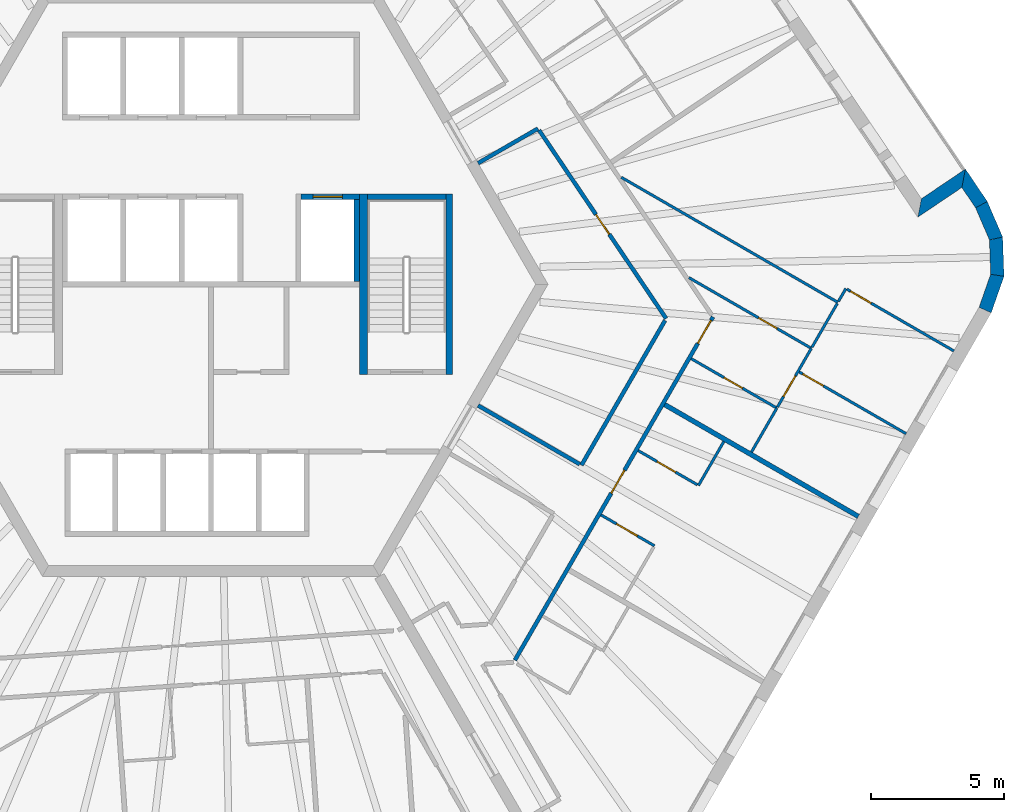
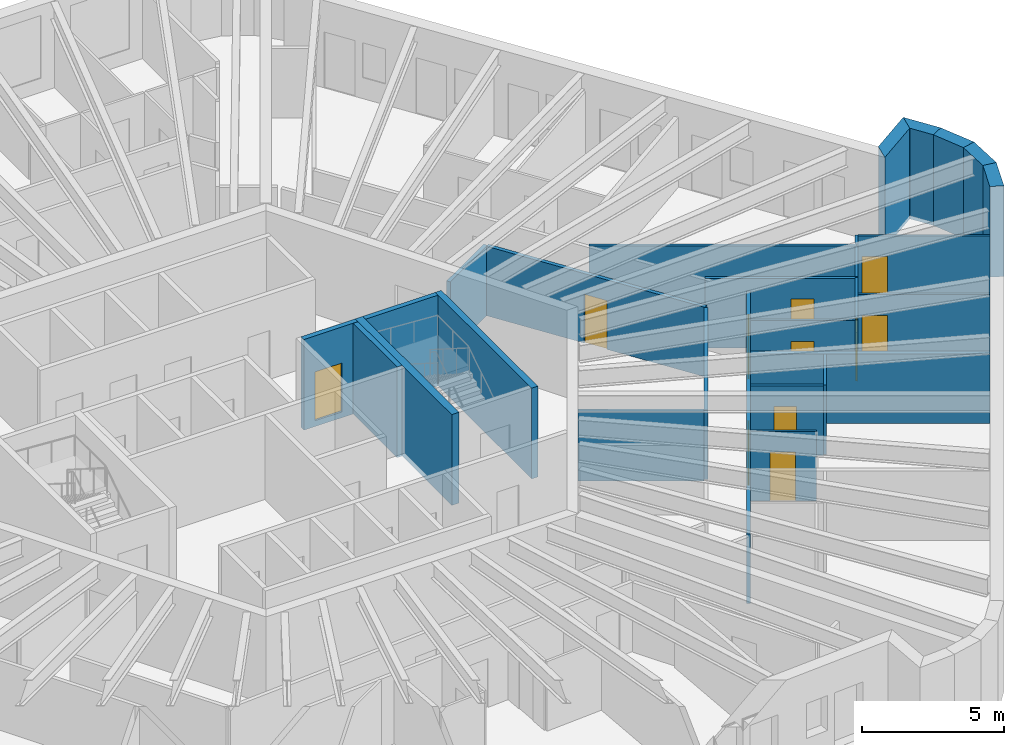
# One storey, part 7 of 12: 28 walls, 11 doors, 11 openings.
"""IFC4 building model written with IfcOpenShell, lengths in metres."""

import ifcopenshell
import ifcopenshell.guid

model = None  # the IFC model being written
_history = None  # IfcOwnerHistory: only IFC2X3 demands one
_inside = {}  # id of a spatial element -> (the spatial element, [elements in it])
_under = {}  # id of a project, library or spatial element -> (it, [spatial elements below it])
_declared = {}  # id of a project -> (the project, [libraries it declares])
_typed = {}  # id of a type object -> (the type object, [elements of that type])
_made_of = {}  # id of a material, layer set ... -> (it, [elements and type objects made of it])


def new_model(schema):
    """Start an empty IFC model of exactly this schema.

    Asked for "IFC4X3", IfcOpenShell would pick the latest addendum, in which some entities
    have other attributes; the version numbers below select the first issue.
    IFC2X3 requires an IfcOwnerHistory on every rooted entity: one is made here for all.
    """
    global model, _history
    if schema == "IFC4X3":
        model = ifcopenshell.file(schema_version=(4, 3, 0, 0))
    else:
        model = ifcopenshell.file(schema=schema)
    _inside.clear()
    _under.clear()
    _declared.clear()
    _typed.clear()
    _made_of.clear()
    _history = None
    if model.schema == "IFC2X3":
        org = make("IfcOrganization", Name="unknown")
        user = make(
            "IfcPersonAndOrganization",
            ThePerson=make("IfcPerson", FamilyName="unknown"),
            TheOrganization=org,
        )
        app = make(
            "IfcApplication",
            ApplicationDeveloper=org,
            Version="unknown",
            ApplicationFullName="unknown",
            ApplicationIdentifier="unknown",
        )
        _history = make(
            "IfcOwnerHistory",
            OwningUser=user,
            OwningApplication=app,
            ChangeAction="ADDED",
            CreationDate=0,
        )
    return model


def make(cls, **values):
    """One entity of the class cls with the attributes given. An attribute that is None is left unset."""
    return model.create_entity(
        cls, **{name: value for name, value in values.items() if value is not None}
    )


def rooted(cls, **values):
    """An entity with a GlobalId (a new one), such as an element, a storey or a relation."""
    return make(cls, GlobalId=ifcopenshell.guid.new(), OwnerHistory=_history, **values)


def si_unit(unit_type, name, prefix=None):
    """IfcSIUnit, for example si_unit("LENGTHUNIT", "METRE", prefix="MILLI")."""
    return make("IfcSIUnit", UnitType=unit_type, Prefix=prefix, Name=name)


def assignment(units):
    """IfcUnitAssignment: the units of a project."""
    return None if units is None else make("IfcUnitAssignment", Units=units)


def point(xyz):
    """IfcCartesianPoint."""
    return None if xyz is None else make("IfcCartesianPoint", Coordinates=xyz)


def direction(xyz):
    """IfcDirection."""
    return None if xyz is None else make("IfcDirection", DirectionRatios=xyz)


def frame(location, z_axis=None, x_axis=None):
    """IfcAxis2Placement3D, a coordinate frame: its origin and axes. An axis left out is left unset."""
    return make(
        "IfcAxis2Placement3D",
        Location=point(location),
        Axis=direction(z_axis),
        RefDirection=direction(x_axis),
    )


def frame_2d(location, x_axis=None):
    """IfcAxis2Placement2D, a coordinate frame in the plane: its origin and x axis."""
    return make(
        "IfcAxis2Placement2D", Location=point(location), RefDirection=direction(x_axis)
    )


def origin():
    """The frame at (0, 0, 0) with its axes left unset."""
    return frame((0.0, 0.0, 0.0))


def place(relative_to, where):
    """IfcLocalPlacement: puts the frame where relative to a parent placement (None: the world)."""
    return make(
        "IfcLocalPlacement", PlacementRelTo=relative_to, RelativePlacement=where
    )


def context(
    kind, dimensions, precision=None, world=None, true_north=None, identifier=None
):
    """IfcGeometricRepresentationContext, for example the 3D "Model" context."""
    return make(
        "IfcGeometricRepresentationContext",
        ContextIdentifier=identifier,
        ContextType=kind,
        CoordinateSpaceDimension=dimensions,
        Precision=precision,
        WorldCoordinateSystem=world,
        TrueNorth=true_north,
    )


def subcontext(parent, identifier, kind, view, scale=None):
    """IfcGeometricRepresentationSubContext, for example "Body" below "Model"."""
    return make(
        "IfcGeometricRepresentationSubContext",
        ContextIdentifier=identifier,
        ContextType=kind,
        ParentContext=parent,
        TargetScale=scale,
        TargetView=view,
    )


def project(units=None, contexts=None):
    """IfcProject with its units and contexts."""
    return rooted(
        "IfcProject",
        Name="project",
        RepresentationContexts=contexts,
        UnitsInContext=assignment(units),
    )


def spatial(cls, under=None, at=None, **own):
    """A site, building, storey or space (cls), placed at a placement, below another one or the project."""
    s = rooted(cls, ObjectPlacement=at, **own)
    if under is not None:
        _under.setdefault(under.id(), (under, []))[1].append(s)
    return s


def polyline(points):
    """IfcPolyline through the points."""
    return make("IfcPolyline", Points=[point(p) for p in points])


def profile(cls, at=None, kind="AREA", **sizes):
    """A parametric profile (cls). Its sizes go by their IFC names, for example OverallWidth=200.0."""
    return make(cls, ProfileType=kind, Position=at, **sizes)


def rectangle(**sizes):
    """IfcRectangleProfileDef."""
    return profile("IfcRectangleProfileDef", **sizes)


def outline(outer, holes=None, kind="AREA"):
    """IfcArbitraryClosedProfileDef: a profile drawn as a closed curve; with holes, ...WithVoids."""
    if holes is None:
        return make("IfcArbitraryClosedProfileDef", ProfileType=kind, OuterCurve=outer)
    return make(
        "IfcArbitraryProfileDefWithVoids",
        ProfileType=kind,
        OuterCurve=outer,
        InnerCurves=holes,
    )


def extrude(swept, where, along, depth):
    """IfcExtrudedAreaSolid: the profile swept, set in the frame where, extruded along a direction by depth."""
    return make(
        "IfcExtrudedAreaSolid",
        SweptArea=swept,
        Position=where,
        ExtrudedDirection=direction(along),
        Depth=depth,
    )


def shape(context_of_items, identifier, shape_type, items):
    """IfcShapeRepresentation: the items that make up one representation, for example the "Body"."""
    return make(
        "IfcShapeRepresentation",
        ContextOfItems=context_of_items,
        RepresentationIdentifier=identifier,
        RepresentationType=shape_type,
        Items=items,
    )


def material(Name=None, Category=None):
    """IfcMaterial."""
    return make("IfcMaterial", Name=Name, Category=Category)


def layer(
    of_material, thickness, ventilated=None, Name=None, Category=None, Priority=None
):
    """IfcMaterialLayer: one layer of a wall or slab, of a material (None: an air gap)."""
    return make(
        "IfcMaterialLayer",
        Material=of_material,
        LayerThickness=thickness,
        IsVentilated=ventilated,
        Name=Name,
        Category=Category,
        Priority=Priority,
    )


def layer_set(layers, Name=None):
    """IfcMaterialLayerSet."""
    return make("IfcMaterialLayerSet", MaterialLayers=layers, LayerSetName=Name)


def made_of(thing, what):
    """Note that an element or type object is made of a material, layer set ...; save() writes the relation."""
    if what is not None:
        _made_of.setdefault(what.id(), (what, []))[1].append(thing)
    return thing


def type_object(cls, material=None, **own):
    """A type object (cls), such as IfcWallType, which elements share."""
    return made_of(rooted(cls, **own), material)


def element(
    cls,
    number,
    at=None,
    inside=None,
    cuts=None,
    type_object=None,
    material=None,
    context=None,
    identifier="Body",
    shape_type=None,
    held_by="IfcProductDefinitionShape",
    body=None,
    shapes=None,
    **own,
):
    """One element of the class cls, such as IfcWall. Its Tag is "e" and its number.

    at: its placement. inside: the storey or other place that contains it. cuts: it is an
    opening in that element (IfcRelVoidsElement). A single representation is given by context,
    identifier, shape_type and body (its items); several are given by shapes. held_by: the class
    of the entity that holds the representations. save() writes the other relations.
    """
    e = rooted(cls, Tag="e%d" % number, ObjectPlacement=at, **own)
    if body is not None:
        shapes = [shape(context, identifier, shape_type, body)]
    if shapes is not None:
        e.Representation = make(held_by, Representations=shapes)
    if inside is not None:
        _inside.setdefault(inside.id(), (inside, []))[1].append(e)
    if cuts is not None:
        rooted(
            "IfcRelVoidsElement", RelatingBuildingElement=cuts, RelatedOpeningElement=e
        )
    if type_object is not None:
        _typed.setdefault(type_object.id(), (type_object, []))[1].append(e)
    return made_of(e, material)


def fill(opening, filler):
    """IfcRelFillsElement: the door or window that sits in an opening."""
    return rooted(
        "IfcRelFillsElement",
        RelatingOpeningElement=opening,
        RelatedBuildingElement=filler,
    )


def aggregate(whole, parts):
    """IfcRelAggregates: a whole, such as a stair, and the parts it consists of."""
    return rooted("IfcRelAggregates", RelatingObject=whole, RelatedObjects=parts)


def save(model, path):
    """Write the relations noted so far, then the file.

    IfcRelAggregates (storeys below a building ...), IfcRelContainedInSpatialStructure (elements
    in a storey), IfcRelDefinesByType, IfcRelAssociatesMaterial and IfcRelDeclares: one each for
    every whole, place, type object, material and project.
    """
    for whole, parts in _under.values():
        aggregate(whole, parts)
    for where, things in _inside.values():
        rooted(
            "IfcRelContainedInSpatialStructure",
            RelatedElements=things,
            RelatingStructure=where,
        )
    for kind, things in _typed.values():
        rooted("IfcRelDefinesByType", RelatedObjects=things, RelatingType=kind)
    for what, things in _made_of.values():
        rooted("IfcRelAssociatesMaterial", RelatedObjects=things, RelatingMaterial=what)
    for by, libraries in _declared.values():
        rooted("IfcRelDeclares", RelatingContext=by, RelatedDefinitions=libraries)
    model.write(path)


model = new_model("IFC4")

# Units and contexts
model_context = context("Model", 3, precision=1e-05, world=origin(), true_north=direction((0.0, 1.0)))
body_context = subcontext(model_context, "Body", "Model", "MODEL_VIEW")
ifc_project = project(units=[si_unit("LENGTHUNIT", "METRE"), si_unit("AREAUNIT", "SQUARE_METRE"), si_unit("VOLUMEUNIT", "CUBIC_METRE"), si_unit("PLANEANGLEUNIT", "RADIAN"), si_unit("MASSUNIT", "GRAM", prefix="KILO")], contexts=[model_context])

# Site, building, storey
site_placement = place(None, origin())
site = spatial("IfcSite", under=ifc_project, at=site_placement, CompositionType="ELEMENT")
building_placement = place(site_placement, origin())
building = spatial("IfcBuilding", under=site, at=building_placement, Name="Tarnside Tower", CompositionType="ELEMENT")
storey_placement = place(building_placement, frame((0.0, 0.0, 275.699951171875)))
storey = spatial("IfcBuildingStorey", under=building, at=storey_placement, Name="L66", CompositionType="ELEMENT", Elevation=275.699951171875)

# Wall
ifc_material_1 = material(Name="Gypsum board partition on steel studs", Category="steel")
ifc_layer_1 = layer(ifc_material_1, 0.10009765625)
ifc_layer_set_1 = layer_set([ifc_layer_1], Name="Bathroom wall 100")
wall_type_1 = type_object("IfcWallType", Name="Bathroom wall 100", PredefinedType="PARTITIONING", material=ifc_layer_set_1)
wall_1_placement = place(storey_placement, frame((19.328125, -5.9228515625, 0.0), z_axis=(0.0, 0.0, 1.0), x_axis=(-0.500043324278, -0.866000389056, 0.0)))
element("IfcWall", 1, at=wall_1_placement, inside=storey, type_object=wall_type_1, Name="Bathroom wall 21152", PredefinedType="PARTITIONING", context=body_context, shape_type="SweptSolid", body=[
    extrude(rectangle(XDim=1.909912109375, YDim=0.10009765625, at=frame_2d((0.955078125, 0.0))), origin(), (0.0, 0.0, 1.0), 2.98779296875),
])

# Wall, opening, door
wall_2_placement = place(storey_placement, frame((18.329833984375, -7.5517578125, 0.0), z_axis=(0.0, 0.0, 1.0), x_axis=(-0.866046643894, 0.499963209246, 0.0)))
wall_2 = element("IfcWall", 2, at=wall_2_placement, inside=storey, type_object=wall_type_1, Name="Bathroom wall 21153", PredefinedType="PARTITIONING", context=body_context, shape_type="SweptSolid", body=[
    extrude(rectangle(XDim=2.574951171875, YDim=0.10009765625, at=frame_2d((1.28759765625, 0.0))), origin(), (0.0, 0.0, 1.0), 2.98779296875),
])
opening_1_placement = place(wall_2_placement, frame((0.949951171875, 0.0, 0.0)))
opening_1 = element("IfcOpeningElement", 3, at=opening_1_placement, cuts=wall_2, Name="Opening D-B1", PredefinedType="OPENING", context=body_context, shape_type="SweptSolid", body=[
    extrude(rectangle(XDim=0.800048828125, YDim=2.10009765625, at=frame_2d((0.39990234375, 1.050048828125))), frame((0.0, 0.06005859375, 0.0), z_axis=(0.0, -1.0, 0.0), x_axis=(1.0, 0.0, 0.0)), (0.0, 0.0, 1.0), 0.1201171875),
])
ifc_material_2 = material(Name="Timber door leaf", Category="wood")
door_type_1 = type_object("IfcDoorType", Name="Bathroom door 800", OperationType="NOTDEFINED", PredefinedType="DOOR", material=ifc_material_2)
door_1_placement = place(opening_1_placement, origin())
door_1 = element("IfcDoor", 4, at=door_1_placement, inside=storey, type_object=door_type_1, Name="Bathroom door 21051", OperationType="SINGLE_SWING_LEFT", OverallHeight=2.10009765625, OverallWidth=0.800048828125, PredefinedType="DOOR", context=body_context, shape_type="SweptSolid", body=[
    extrude(rectangle(XDim=0.800048828125, YDim=2.10009765625, at=frame_2d((0.39990234375, 1.050048828125))), frame((0.0, 0.02490234375, 0.0), z_axis=(0.0, -1.0, 0.0), x_axis=(1.0, 0.0, 0.0)), (0.0, 0.0, 1.0), 0.050048828125),
])
fill(opening_1, door_1)

# Wall
wall_3_placement = place(storey_placement, frame((15.462890625, 4.03369140625, 0.0), z_axis=(0.0, 0.0, 1.0), x_axis=(0.866033324905, -0.499986279965, 0.0)))
element("IfcWall", 5, at=wall_3_placement, inside=storey, type_object=wall_type_1, Name="Bathroom wall 21161", PredefinedType="PARTITIONING", context=body_context, shape_type="SweptSolid", body=[
    extrude(rectangle(XDim=9.425537109375, YDim=0.10009765625, at=frame_2d((4.712890625, 0.0))), origin(), (0.0, 0.0, 1.0), 2.98779296875),
])

# Wall, opening, door
wall_4_placement = place(storey_placement, frame((18.099853515625, -2.80029296875, 0.0), z_axis=(0.0, 0.0, 1.0), x_axis=(0.866012039196, -0.500023147432, 0.0)))
wall_4 = element("IfcWall", 6, at=wall_4_placement, inside=storey, type_object=wall_type_1, Name="Bathroom wall 21164", PredefinedType="PARTITIONING", context=body_context, shape_type="SweptSolid", body=[
    extrude(rectangle(XDim=3.724853515625, YDim=0.10009765625, at=frame_2d((1.8623046875, 0.0))), origin(), (0.0, 0.0, 1.0), 2.98779296875),
])
opening_2_placement = place(wall_4_placement, frame((1.425048828125, 0.0, 0.0)))
opening_2 = element("IfcOpeningElement", 7, at=opening_2_placement, cuts=wall_4, Name="Opening D-B1", PredefinedType="OPENING", context=body_context, shape_type="SweptSolid", body=[
    extrude(rectangle(XDim=0.800048828125, YDim=2.10009765625, at=frame_2d((0.39990234375, 1.050048828125))), frame((0.0, 0.06005859375, 0.0), z_axis=(0.0, -1.0, 0.0), x_axis=(1.0, 0.0, 0.0)), (0.0, 0.0, 1.0), 0.1201171875),
])
door_2_placement = place(opening_2_placement, origin())
door_2 = element("IfcDoor", 8, at=door_2_placement, inside=storey, type_object=door_type_1, Name="Bathroom door 21054", OperationType="SINGLE_SWING_RIGHT", OverallHeight=2.10009765625, OverallWidth=0.800048828125, PredefinedType="DOOR", context=body_context, shape_type="SweptSolid", body=[
    extrude(rectangle(XDim=0.800048828125, YDim=2.10009765625, at=frame_2d((0.39990234375, 1.050048828125))), frame((0.0, 0.02490234375, 0.0), z_axis=(0.0, -1.0, 0.0), x_axis=(1.0, 0.0, 0.0)), (0.0, 0.0, 1.0), 0.050048828125),
])
fill(opening_2, door_2)

wall_5_placement = place(storey_placement, frame((22.625732421875, -2.4111328125, 0.0), z_axis=(0.0, 0.0, 1.0), x_axis=(-0.866016851835, 0.500014812119, 0.0)))
wall_5 = element("IfcWall", 9, at=wall_5_placement, inside=storey, type_object=wall_type_1, Name="Bathroom wall 21167", PredefinedType="PARTITIONING", context=body_context, shape_type="SweptSolid", body=[
    extrude(rectangle(XDim=5.324951171875, YDim=0.10009765625, at=frame_2d((2.66259765625, 0.0))), origin(), (0.0, 0.0, 1.0), 2.98779296875),
])
opening_3_placement = place(wall_5_placement, frame((1.5, 0.0, 0.0)))
opening_3 = element("IfcOpeningElement", 10, at=opening_3_placement, cuts=wall_5, Name="Opening D-B1", PredefinedType="OPENING", context=body_context, shape_type="SweptSolid", body=[
    extrude(rectangle(XDim=0.800048828125, YDim=2.10009765625, at=frame_2d((0.39990234375, 1.050048828125))), frame((0.0, 0.06005859375, 0.0), z_axis=(0.0, -1.0, 0.0), x_axis=(1.0, 0.0, 0.0)), (0.0, 0.0, 1.0), 0.1201171875),
])
door_3_placement = place(opening_3_placement, origin())
door_3 = element("IfcDoor", 11, at=door_3_placement, inside=storey, type_object=door_type_1, Name="Bathroom door 21062", OperationType="SINGLE_SWING_RIGHT", OverallHeight=2.10009765625, OverallWidth=0.800048828125, PredefinedType="DOOR", context=body_context, shape_type="SweptSolid", body=[
    extrude(rectangle(XDim=0.800048828125, YDim=2.10009765625, at=frame_2d((0.39990234375, 1.050048828125))), frame((0.0, 0.02490234375, 0.0), z_axis=(0.0, -1.0, 0.0), x_axis=(1.0, 0.0, 0.0)), (0.0, 0.0, 1.0), 0.050048828125),
])
fill(opening_3, door_3)

# Walls
wall_6_placement = place(storey_placement, frame((20.370849609375, -6.31689453125, 0.0), z_axis=(0.0, 0.0, 1.0), x_axis=(0.49994353734, 0.866058000062, 0.0)))
element("IfcWall", 12, at=wall_6_placement, inside=storey, type_object=wall_type_1, Name="Bathroom wall 21168", PredefinedType="PARTITIONING", context=body_context, shape_type="SweptSolid", body=[
    extrude(rectangle(XDim=1.911865234375, YDim=0.10009765625, at=frame_2d((0.9560546875, 0.0))), origin(), (0.0, 0.0, 1.0), 2.98779296875),
])
wall_7_placement = place(storey_placement, frame((23.600830078125, -0.722412109375, 0.0), z_axis=(0.0, 0.0, 1.0), x_axis=(-0.500119165741, -0.865956592479, 0.0)))
element("IfcWall", 13, at=wall_7_placement, inside=storey, type_object=wall_type_1, Name="Bathroom wall 21170", PredefinedType="PARTITIONING", context=body_context, shape_type="SweptSolid", body=[
    extrude(rectangle(XDim=1.89990234375, YDim=0.10009765625, at=frame_2d((0.949951171875, 0.0))), origin(), (0.0, 0.0, 1.0), 2.98779296875),
])

# Wall, openings, doors
ifc_layer_2 = layer(ifc_material_1, 0.14990234375)
ifc_layer_set_2 = layer_set([ifc_layer_2], Name="Corridor wall 150 EI 60")
wall_type_2 = type_object("IfcWallType", Name="Corridor wall 150 EI 60", PredefinedType="PARTITIONING", material=ifc_layer_set_2)
wall_8_placement = place(storey_placement, frame((11.454345703125, -14.160400390625, 0.0), z_axis=(0.0, 0.0, 1.0), x_axis=(0.500000296604, 0.86602523254, 0.0)))
wall_8 = element("IfcWall", 14, at=wall_8_placement, inside=storey, type_object=wall_type_2, Name="Corridor wall 21059", PredefinedType="PARTITIONING", context=body_context, shape_type="SweptSolid", body=[
    extrude(rectangle(XDim=14.93359375, YDim=0.14990234375, at=frame_2d((7.466796875, 0.0))), origin(), (0.0, 0.0, 1.0), 2.98779296875),
])
opening_4_placement = place(wall_8_placement, frame((7.260986328125, 0.0, 0.0)))
opening_4 = element("IfcOpeningElement", 15, at=opening_4_placement, cuts=wall_8, Name="Opening D-E1", PredefinedType="OPENING", context=body_context, shape_type="SweptSolid", body=[
    extrude(rectangle(XDim=1.0, YDim=2.10009765625, at=frame_2d((0.5, 1.050048828125))), frame((0.0, 0.0849609375, 0.0), z_axis=(0.0, -1.0, 0.0), x_axis=(1.0, 0.0, 0.0)), (0.0, 0.0, 1.0), 0.169921875),
])
opening_5_placement = place(wall_8_placement, frame((13.78369140625, 0.0, 0.0)))
opening_5 = element("IfcOpeningElement", 16, at=opening_5_placement, cuts=wall_8, Name="Opening D-E1", PredefinedType="OPENING", context=body_context, shape_type="SweptSolid", body=[
    extrude(rectangle(XDim=1.0, YDim=2.10009765625, at=frame_2d((0.5, 1.050048828125))), frame((0.0, 0.0849609375, 0.0), z_axis=(0.0, -1.0, 0.0), x_axis=(1.0, 0.0, 0.0)), (0.0, 0.0, 1.0), 0.169921875),
])
door_type_2 = type_object("IfcDoorType", Name="Unit entrance door 1000 FD30S", OperationType="NOTDEFINED", PredefinedType="DOOR", material=ifc_material_2)
door_4_placement = place(opening_4_placement, origin())
door_4 = element("IfcDoor", 17, at=door_4_placement, inside=storey, type_object=door_type_2, Name="Unit door 21050", OperationType="SINGLE_SWING_RIGHT", OverallHeight=2.10009765625, OverallWidth=1.0, PredefinedType="DOOR", context=body_context, shape_type="SweptSolid", body=[
    extrude(rectangle(XDim=1.0, YDim=2.10009765625, at=frame_2d((0.5, 1.050048828125))), frame((0.0, 0.02490234375, 0.0), z_axis=(0.0, -1.0, 0.0), x_axis=(1.0, 0.0, 0.0)), (0.0, 0.0, 1.0), 0.050048828125),
])
fill(opening_4, door_4)
door_5_placement = place(opening_5_placement, origin())
door_5 = element("IfcDoor", 18, at=door_5_placement, inside=storey, type_object=door_type_2, Name="Unit door 21053", OperationType="SINGLE_SWING_LEFT", OverallHeight=2.10009765625, OverallWidth=1.0, PredefinedType="DOOR", context=body_context, shape_type="SweptSolid", body=[
    extrude(rectangle(XDim=1.0, YDim=2.10009765625, at=frame_2d((0.5, 1.050048828125))), frame((0.0, 0.02490234375, 0.0), z_axis=(0.0, -1.0, 0.0), x_axis=(1.0, 0.0, 0.0)), (0.0, 0.0, 1.0), 0.050048828125),
])
fill(opening_5, door_5)

# Wall
wall_9_placement = place(storey_placement, frame((10.065673828125, 4.565673828125, 0.0), z_axis=(0.0, 0.0, 1.0), x_axis=(0.866034402474, 0.499984413489, 0.0)))
element("IfcWall", 19, at=wall_9_placement, inside=storey, type_object=wall_type_2, Name="Corridor wall 21074", PredefinedType="PARTITIONING", context=body_context, shape_type="SweptSolid", body=[
    extrude(rectangle(XDim=2.6083984375, YDim=0.14990234375, at=frame_2d((1.30419921875, 0.0))), origin(), (0.0, 0.0, 1.0), 2.98779296875),
])

# Wall, opening, door
wall_10_placement = place(storey_placement, frame((12.36669921875, 5.8076171875, 0.0), z_axis=(0.0, 0.0, 1.0), x_axis=(0.559187256666, -0.829041381345, 0.0)))
wall_10 = element("IfcWall", 20, at=wall_10_placement, inside=storey, type_object=wall_type_2, Name="Corridor wall 21075", PredefinedType="PARTITIONING", context=body_context, shape_type="SweptSolid", body=[
    extrude(rectangle(XDim=8.560302734375, YDim=0.14990234375, at=frame_2d((4.2802734375, 0.0))), origin(), (0.0, 0.0, 1.0), 2.98779296875),
])
opening_6_placement = place(wall_10_placement, frame((3.830078125, 0.0, 0.0)))
opening_6 = element("IfcOpeningElement", 21, at=opening_6_placement, cuts=wall_10, Name="Opening D-S1", PredefinedType="OPENING", context=body_context, shape_type="SweptSolid", body=[
    extrude(rectangle(XDim=0.89990234375, YDim=2.10009765625, at=frame_2d((0.449951171875, 1.050048828125))), frame((0.0, 0.0849609375, 0.0), z_axis=(0.0, -1.0, 0.0), x_axis=(1.0, 0.0, 0.0)), (0.0, 0.0, 1.0), 0.169921875),
])
door_type_3 = type_object("IfcDoorType", Name="Service room door 900 FD30S", OperationType="NOTDEFINED", PredefinedType="DOOR", material=ifc_material_2)
door_6_placement = place(opening_6_placement, origin())
door_6 = element("IfcDoor", 22, at=door_6_placement, inside=storey, type_object=door_type_3, Name="Service door 21073", OperationType="SINGLE_SWING_RIGHT", OverallHeight=2.10009765625, OverallWidth=0.89990234375, PredefinedType="DOOR", context=body_context, shape_type="SweptSolid", body=[
    extrude(rectangle(XDim=0.89990234375, YDim=2.10009765625, at=frame_2d((0.449951171875, 1.050048828125))), frame((0.0, 0.02490234375, 0.0), z_axis=(0.0, -1.0, 0.0), x_axis=(1.0, 0.0, 0.0)), (0.0, 0.0, 1.0), 0.050048828125),
])
fill(opening_6, door_6)

# Walls
wall_11_placement = place(storey_placement, frame((17.11181640625, -1.361572265625, 0.0), z_axis=(0.0, 0.0, 1.0), x_axis=(-0.49999985423, -0.866025487945, 0.0)))
element("IfcWall", 23, at=wall_11_placement, inside=storey, type_object=wall_type_2, Name="Corridor wall 21076", PredefinedType="PARTITIONING", context=body_context, shape_type="SweptSolid", body=[
    extrude(rectangle(XDim=6.2978515625, YDim=0.14990234375, at=frame_2d((3.14892578125, 0.0))), origin(), (0.0, 0.0, 1.0), 2.98779296875),
])
wall_12_placement = place(storey_placement, frame((13.89794921875, -6.778076171875, 0.0), z_axis=(0.0, 0.0, 1.0), x_axis=(-0.866041342403, 0.499972392486, 0.0)))
element("IfcWall", 24, at=wall_12_placement, inside=storey, type_object=wall_type_2, Name="Corridor wall 21077", PredefinedType="PARTITIONING", context=body_context, shape_type="SweptSolid", body=[
    extrude(rectangle(XDim=4.425048828125, YDim=0.14990234375, at=frame_2d((2.21240234375, 0.0))), origin(), (0.0, 0.0, 1.0), 2.98779296875),
])
ifc_layer_3 = layer(ifc_material_1, 0.179931640625)
ifc_layer_set_3 = layer_set([ifc_layer_3], Name="Demising wall 180 EI 60")
wall_type_3 = type_object("IfcWallType", Name="Demising wall 180 EI 60", PredefinedType="PARTITIONING", material=ifc_layer_set_3)
wall_13_placement = place(storey_placement, frame((24.39599609375, -8.744873046875, 0.0), z_axis=(0.0, 0.0, 1.0), x_axis=(-0.866014270972, 0.500019282102, 0.0)))
element("IfcWall", 25, at=wall_13_placement, inside=storey, type_object=wall_type_3, Name="Demising wall 21156", PredefinedType="PARTITIONING", context=body_context, shape_type="SweptSolid", body=[
    extrude(rectangle(XDim=8.425048828125, YDim=0.179931640625, at=frame_2d((4.21240234375, 0.0))), origin(), (0.0, 0.0, 1.0), 2.98779296875),
])

# Wall, opening, door
ifc_material_3 = material(Name="Concrete C40/50", Category="concrete")
ifc_layer_4 = layer(ifc_material_3, 0.199951171875)
ifc_layer_set_4 = layer_set([ifc_layer_4], Name="Lift shaft wall 200 C40/50")
wall_type_4 = type_object("IfcWallType", Name="Lift shaft wall 200 C40/50", PredefinedType="SHEAR", material=ifc_layer_set_4)
wall_14_placement = place(storey_placement, frame((3.39990234375, 3.300048828125, -0.25), z_axis=(0.0, 0.0, 1.0), x_axis=(1.0, 0.0, 0.0)))
wall_14 = element("IfcWall", 26, at=wall_14_placement, inside=storey, type_object=wall_type_4, Name="L66 lift shaft front wall R2 2", PredefinedType="SHEAR", context=body_context, shape_type="SweptSolid", body=[
    extrude(rectangle(XDim=2.2001953125, YDim=0.199951171875, at=frame_2d((1.10009765625, 0.0))), origin(), (0.0, 0.0, 1.0), 3.900146484375),
])
opening_7_placement = place(wall_14_placement, frame((0.449951171875, 0.0, 0.25)))
opening_7 = element("IfcOpeningElement", 27, at=opening_7_placement, cuts=wall_14, Name="Opening LD", PredefinedType="OPENING", context=body_context, shape_type="SweptSolid", body=[
    extrude(rectangle(XDim=1.10009765625, YDim=2.10009765625, at=frame_2d((0.550048828125, 1.050048828125))), frame((0.0, 0.10986328125, 0.0), z_axis=(0.0, -1.0, 0.0), x_axis=(1.0, 0.0, 0.0)), (0.0, 0.0, 1.0), 0.219970703125),
])
ifc_material_4 = material(Name="Stainless steel", Category="steel")
door_type_4 = type_object("IfcDoorType", Name="Lift landing door 1100x2100", OperationType="NOTDEFINED", PredefinedType="DOOR", material=ifc_material_4)
door_7_placement = place(opening_7_placement, origin())
door_7 = element("IfcDoor", 28, at=door_7_placement, inside=storey, type_object=door_type_4, Name="Express sky-lobby shuttle 2 landing door L66", OperationType="SLIDING_TO_LEFT", OverallHeight=2.10009765625, OverallWidth=1.10009765625, PredefinedType="DOOR", context=body_context, shape_type="SweptSolid", body=[
    extrude(rectangle(XDim=1.10009765625, YDim=2.10009765625, at=frame_2d((0.550048828125, 1.050048828125))), frame((0.0, 0.02490234375, 0.0), z_axis=(0.0, -1.0, 0.0), x_axis=(1.0, 0.0, 0.0)), (0.0, 0.0, 1.0), 0.050048828125),
])
fill(opening_7, door_7)

# Walls
wall_15_placement = place(storey_placement, frame((5.5, 0.10009765625, -0.25), z_axis=(0.0, 0.0, 1.0), x_axis=(0.0, 1.0, 0.0)))
element("IfcWall", 29, at=wall_15_placement, inside=storey, type_object=wall_type_4, Name="L66 lift shaft partition R26", PredefinedType="SHEAR", context=body_context, shape_type="SweptSolid", body=[
    extrude(rectangle(XDim=3.099853515625, YDim=0.199951171875, at=frame_2d((1.5498046875, 0.0))), origin(), (0.0, 0.0, 1.0), 3.900146484375),
])
wall_16_placement = place(storey_placement, frame((5.89990234375, 3.300048828125, -0.25), z_axis=(0.0, 0.0, 1.0), x_axis=(1.0, 0.0, 0.0)))
element("IfcWall", 30, at=wall_16_placement, inside=storey, type_object=wall_type_4, Name="L66 stair 1 enclosure cap wall n", PredefinedType="SHEAR", context=body_context, shape_type="SweptSolid", body=[
    extrude(rectangle(XDim=2.9501953125, YDim=0.199951171875, at=frame_2d((1.47509765625, 0.0))), origin(), (0.0, 0.0, 1.0), 3.900146484375),
])
ifc_material_5 = material(Name="Dark zinc cladding")
ifc_layer_5 = layer(ifc_material_5, 0.10205078125)
ifc_material_6 = material(Name="Concrete C60/75 precast", Category="concrete")
ifc_layer_6 = layer(ifc_material_6, 0.298095703125)
ifc_material_7 = material(Name="Mineral wool insulation")
ifc_layer_7 = layer(ifc_material_7, 0.10009765625)
ifc_layer_set_5 = layer_set([ifc_layer_5, ifc_layer_6, ifc_layer_7], Name="Loggia wall 500 zinc faced")
wall_type_5 = type_object("IfcWallType", Name="Loggia wall 500 zinc faced", PredefinedType="SOLIDWALL", material=ifc_layer_set_5)
wall_17_placement = place(storey_placement, frame((29.034912109375, 3.00244140625, -0.14990234375), z_axis=(0.0, 0.0, 1.0), x_axis=(-0.559200218553, 0.829032638423, 0.0)))
element("IfcWall", 31, at=wall_17_placement, inside=storey, type_object=wall_type_5, Name="Tube wall L66 F6 stub 28", PredefinedType="SOLIDWALL", context=body_context, shape_type="SweptSolid", body=[
    extrude(outline(polyline([(-0.0234375, -0.25), (1.44970703125, -0.25), (0.94970703125, 0.25), (0.0234375, 0.25), (-0.0234375, -0.25)])), origin(), (0.0, 0.0, 1.0), 3.89990234375),
])
wall_18_placement = place(storey_placement, frame((28.364013671875, 3.9970703125, -0.14990234375), z_axis=(0.0, 0.0, 1.0), x_axis=(-0.829108975345, -0.5590870299, 0.0)))
element("IfcWall", 32, at=wall_18_placement, inside=storey, type_object=wall_type_5, Name="Tube wall L66 F6 return 29", PredefinedType="SOLIDWALL", context=body_context, shape_type="SweptSolid", body=[
    extrude(outline(polyline([(-0.25, -0.25), (1.75, -0.25), (2.25, 0.25), (0.25, 0.25), (-0.25, -0.25)])), origin(), (0.0, 0.0, 1.0), 3.89990234375),
])

# Wall, opening, door
ifc_layer_8 = layer(ifc_material_1, 0.10009765625)
ifc_layer_set_6 = layer_set([ifc_layer_8], Name="Partition 100")
wall_type_6 = type_object("IfcWallType", Name="Partition 100", PredefinedType="PARTITIONING", material=ifc_layer_set_6)
wall_19_placement = place(storey_placement, frame((14.69970703125, -8.689208984375, 0.0), z_axis=(0.0, 0.0, 1.0), x_axis=(0.866024722723, -0.500001179632, 0.0)))
wall_19 = element("IfcWall", 33, at=wall_19_placement, inside=storey, type_object=wall_type_6, Name="Partition wall 21154", PredefinedType="PARTITIONING", context=body_context, shape_type="SweptSolid", body=[
    extrude(rectangle(XDim=2.3251953125, YDim=0.10009765625, at=frame_2d((1.16259765625, 0.0))), origin(), (0.0, 0.0, 1.0), 2.98779296875),
])
opening_8_placement = place(wall_19_placement, frame((0.675048828125, 0.0, 0.0)))
opening_8 = element("IfcOpeningElement", 34, at=opening_8_placement, cuts=wall_19, Name="Opening D-I1", PredefinedType="OPENING", context=body_context, shape_type="SweptSolid", body=[
    extrude(rectangle(XDim=0.89990234375, YDim=2.10009765625, at=frame_2d((0.449951171875, 1.050048828125))), frame((0.0, 0.06005859375, 0.0), z_axis=(0.0, -1.0, 0.0), x_axis=(1.0, 0.0, 0.0)), (0.0, 0.0, 1.0), 0.1201171875),
])
door_type_5 = type_object("IfcDoorType", Name="Internal door 900", OperationType="NOTDEFINED", PredefinedType="DOOR", material=ifc_material_2)
door_8_placement = place(opening_8_placement, origin())
door_8 = element("IfcDoor", 35, at=door_8_placement, inside=storey, type_object=door_type_5, Name="Internal door 21052", OperationType="SINGLE_SWING_RIGHT", OverallHeight=2.10009765625, OverallWidth=0.89990234375, PredefinedType="DOOR", context=body_context, shape_type="SweptSolid", body=[
    extrude(rectangle(XDim=0.89990234375, YDim=2.10009765625, at=frame_2d((0.449951171875, 1.050048828125))), frame((0.0, 0.02490234375, 0.0), z_axis=(0.0, -1.0, 0.0), x_axis=(1.0, 0.0, 0.0)), (0.0, 0.0, 1.0), 0.050048828125),
])
fill(opening_8, door_8)

# Wall
wall_20_placement = place(storey_placement, frame((23.649658203125, -0.637451171875, 0.0), z_axis=(0.0, 0.0, 1.0), x_axis=(0.500181810019, 0.865920410272, 0.0)))
element("IfcWall", 36, at=wall_20_placement, inside=storey, type_object=wall_type_6, Name="Partition wall 21159", PredefinedType="PARTITIONING", context=body_context, shape_type="SweptSolid", body=[
    extrude(rectangle(XDim=0.552001953125, YDim=0.10009765625, at=frame_2d((0.27587890625, 0.0))), origin(), (0.0, 0.0, 1.0), 2.98779296875),
])

# Wall, opening, door
wall_21_placement = place(storey_placement, frame((23.968994140625, -0.184326171875, 0.0), z_axis=(0.0, 0.0, 1.0), x_axis=(0.866011596997, -0.500023913295, 0.0)))
wall_21 = element("IfcWall", 37, at=wall_21_placement, inside=storey, type_object=wall_type_6, Name="Partition wall 21160", PredefinedType="PARTITIONING", context=body_context, shape_type="SweptSolid", body=[
    extrude(rectangle(XDim=4.650146484375, YDim=0.10009765625, at=frame_2d((2.3251953125, 0.0))), origin(), (0.0, 0.0, 1.0), 2.98779296875),
])
opening_9_placement = place(wall_21_placement, frame((0.14990234375, 0.0, 0.0)))
opening_9 = element("IfcOpeningElement", 38, at=opening_9_placement, cuts=wall_21, Name="Opening D-I1", PredefinedType="OPENING", context=body_context, shape_type="SweptSolid", body=[
    extrude(rectangle(XDim=0.89990234375, YDim=2.10009765625, at=frame_2d((0.449951171875, 1.050048828125))), frame((0.0, 0.06005859375, 0.0), z_axis=(0.0, -1.0, 0.0), x_axis=(1.0, 0.0, 0.0)), (0.0, 0.0, 1.0), 0.1201171875),
])
door_9_placement = place(opening_9_placement, origin())
door_9 = element("IfcDoor", 39, at=door_9_placement, inside=storey, type_object=door_type_5, Name="Internal door 21061", OperationType="SINGLE_SWING_RIGHT", OverallHeight=2.10009765625, OverallWidth=0.89990234375, PredefinedType="DOOR", context=body_context, shape_type="SweptSolid", body=[
    extrude(rectangle(XDim=0.89990234375, YDim=2.10009765625, at=frame_2d((0.449951171875, 1.050048828125))), frame((0.0, 0.02490234375, 0.0), z_axis=(0.0, -1.0, 0.0), x_axis=(1.0, 0.0, 0.0)), (0.0, 0.0, 1.0), 0.050048828125),
])
fill(opening_9, door_9)

wall_22_placement = place(storey_placement, frame((21.349609375, -4.62109375, 0.0), z_axis=(0.0, 0.0, 1.0), x_axis=(0.500056202316, 0.865992952931, 0.0)))
wall_22 = element("IfcWall", 40, at=wall_22_placement, inside=storey, type_object=wall_type_6, Name="Partition wall 21165", PredefinedType="PARTITIONING", context=body_context, shape_type="SweptSolid", body=[
    extrude(rectangle(XDim=2.553955078125, YDim=0.10009765625, at=frame_2d((1.27685546875, 0.0))), origin(), (0.0, 0.0, 1.0), 2.98779296875),
])
opening_10_placement = place(wall_22_placement, frame((0.451904296875, 0.0, 0.0)))
opening_10 = element("IfcOpeningElement", 41, at=opening_10_placement, cuts=wall_22, Name="Opening D-I1", PredefinedType="OPENING", context=body_context, shape_type="SweptSolid", body=[
    extrude(rectangle(XDim=0.89990234375, YDim=2.10009765625, at=frame_2d((0.449951171875, 1.050048828125))), frame((0.0, 0.06005859375, 0.0), z_axis=(0.0, -1.0, 0.0), x_axis=(1.0, 0.0, 0.0)), (0.0, 0.0, 1.0), 0.1201171875),
])
door_10_placement = place(opening_10_placement, origin())
door_10 = element("IfcDoor", 42, at=door_10_placement, inside=storey, type_object=door_type_5, Name="Internal door 21056", OperationType="SINGLE_SWING_LEFT", OverallHeight=2.10009765625, OverallWidth=0.89990234375, PredefinedType="DOOR", context=body_context, shape_type="SweptSolid", body=[
    extrude(rectangle(XDim=0.89990234375, YDim=2.10009765625, at=frame_2d((0.449951171875, 1.050048828125))), frame((0.0, 0.02490234375, 0.0), z_axis=(0.0, -1.0, 0.0), x_axis=(1.0, 0.0, 0.0)), (0.0, 0.0, 1.0), 0.050048828125),
])
fill(opening_10, door_10)

wall_23_placement = place(storey_placement, frame((26.196044921875, -5.627197265625, 0.0), z_axis=(0.0, 0.0, 1.0), x_axis=(-0.866011596997, 0.500023913295, 0.0)))
wall_23 = element("IfcWall", 43, at=wall_23_placement, inside=storey, type_object=wall_type_6, Name="Partition wall 21169", PredefinedType="PARTITIONING", context=body_context, shape_type="SweptSolid", body=[
    extrude(rectangle(XDim=4.650146484375, YDim=0.10009765625, at=frame_2d((2.3251953125, 0.0))), origin(), (0.0, 0.0, 1.0), 2.98779296875),
])
opening_11_placement = place(wall_23_placement, frame((3.60009765625, 0.0, 0.0)))
opening_11 = element("IfcOpeningElement", 44, at=opening_11_placement, cuts=wall_23, Name="Opening D-I1", PredefinedType="OPENING", context=body_context, shape_type="SweptSolid", body=[
    extrude(rectangle(XDim=0.89990234375, YDim=2.10009765625, at=frame_2d((0.449951171875, 1.050048828125))), frame((0.0, 0.06005859375, 0.0), z_axis=(0.0, -1.0, 0.0), x_axis=(1.0, 0.0, 0.0)), (0.0, 0.0, 1.0), 0.1201171875),
])
door_11_placement = place(opening_11_placement, origin())
door_11 = element("IfcDoor", 45, at=door_11_placement, inside=storey, type_object=door_type_5, Name="Internal door 21059", OperationType="SINGLE_SWING_RIGHT", OverallHeight=2.10009765625, OverallWidth=0.89990234375, PredefinedType="DOOR", context=body_context, shape_type="SweptSolid", body=[
    extrude(rectangle(XDim=0.89990234375, YDim=2.10009765625, at=frame_2d((0.449951171875, 1.050048828125))), frame((0.0, 0.02490234375, 0.0), z_axis=(0.0, -1.0, 0.0), x_axis=(1.0, 0.0, 0.0)), (0.0, 0.0, 1.0), 0.050048828125),
])
fill(opening_11, door_11)

# Walls
ifc_layer_9 = layer(ifc_material_3, 0.25)
ifc_layer_set_7 = layer_set([ifc_layer_9], Name="Stair enclosure wall 250 C40/50")
wall_type_7 = type_object("IfcWallType", Name="Stair enclosure wall 250 C40/50", PredefinedType="SHEAR", material=ifc_layer_set_7)
wall_24_placement = place(storey_placement, frame((8.97509765625, -3.39990234375, -0.25), z_axis=(0.0, 0.0, 1.0), x_axis=(0.0, 1.0, 0.0)))
element("IfcWall", 46, at=wall_24_placement, inside=storey, type_object=wall_type_7, Name="L66 stair 1 enclosure wall outer", PredefinedType="SHEAR", context=body_context, shape_type="SweptSolid", body=[
    extrude(rectangle(XDim=6.7998046875, YDim=0.25, at=frame_2d((3.39990234375, 0.0))), origin(), (0.0, 0.0, 1.0), 3.900146484375),
])
ifc_layer_10 = layer(ifc_material_3, 0.300048828125)
ifc_layer_set_8 = layer_set([ifc_layer_10], Name="Stair enclosure wall 300 C40/50")
wall_type_8 = type_object("IfcWallType", Name="Stair enclosure wall 300 C40/50", PredefinedType="SHEAR", material=ifc_layer_set_8)
wall_25_placement = place(storey_placement, frame((5.75, -3.39990234375, -0.25), z_axis=(0.0, 0.0, 1.0), x_axis=(0.0, 1.0, 0.0)))
element("IfcWall", 47, at=wall_25_placement, inside=storey, type_object=wall_type_8, Name="L66 stair 1 enclosure wall inner", PredefinedType="SHEAR", context=body_context, shape_type="SweptSolid", body=[
    extrude(rectangle(XDim=6.7998046875, YDim=0.300048828125, at=frame_2d((3.39990234375, 0.0))), origin(), (0.0, 0.0, 1.0), 3.900146484375),
])
ifc_material_8 = material(Name="Facing brick", Category="masonry")
ifc_layer_11 = layer(ifc_material_8, 0.10205078125)
ifc_layer_12 = layer(ifc_material_6, 0.298095703125)
ifc_layer_13 = layer(ifc_material_7, 0.10009765625)
ifc_layer_set_9 = layer_set([ifc_layer_11, ifc_layer_12, ifc_layer_13], Name="Tube wall 500 brick faced")
wall_type_9 = type_object("IfcWallType", Name="Tube wall 500 brick faced", PredefinedType="SOLIDWALL", material=ifc_layer_set_9)
wall_26_placement = place(storey_placement, frame((29.173828125, -0.9697265625, -0.14990234375), z_axis=(0.0, 0.0, 1.0), x_axis=(0.330961348063, 0.943644311215, 0.0)))
element("IfcWall", 48, at=wall_26_placement, inside=storey, type_object=wall_type_9, Name="Tube wall L66 F5 chord 25", PredefinedType="SOLIDWALL", context=body_context, shape_type="SweptSolid", body=[
    extrude(outline(polyline([(-0.0234375, -0.25), (1.435302734375, -0.25), (1.341064453125, 0.25), (0.0234375, 0.25), (-0.0234375, -0.25)])), origin(), (0.0, 0.0, 1.0), 3.89990234375),
])
wall_27_placement = place(storey_placement, frame((29.63330078125, 0.34033203125, -0.14990234375), z_axis=(0.0, 0.0, 1.0), x_axis=(-0.034825746769, 0.999393399699, 0.0)))
element("IfcWall", 49, at=wall_27_placement, inside=storey, type_object=wall_type_9, Name="Tube wall L66 F5 chord 26", PredefinedType="SOLIDWALL", context=body_context, shape_type="SweptSolid", body=[
    extrude(outline(polyline([(-0.047119140625, -0.25), (1.43505859375, -0.25), (1.3408203125, 0.25), (0.047119140625, 0.25), (-0.047119140625, -0.25)])), origin(), (0.0, 0.0, 1.0), 3.89990234375),
])
wall_28_placement = place(storey_placement, frame((29.5849609375, 1.7275390625, -0.14990234375), z_axis=(0.0, 0.0, 1.0), x_axis=(-0.396146339195, 0.918187387162, 0.0)))
element("IfcWall", 50, at=wall_28_placement, inside=storey, type_object=wall_type_9, Name="Tube wall L66 F5 chord 27", PredefinedType="SOLIDWALL", context=body_context, shape_type="SweptSolid", body=[
    extrude(outline(polyline([(-0.047119140625, -0.25), (1.411865234375, -0.25), (1.364990234375, 0.25), (0.047119140625, 0.25), (-0.047119140625, -0.25)])), origin(), (0.0, 0.0, 1.0), 3.89990234375),
])

save(model, "model.ifc")
